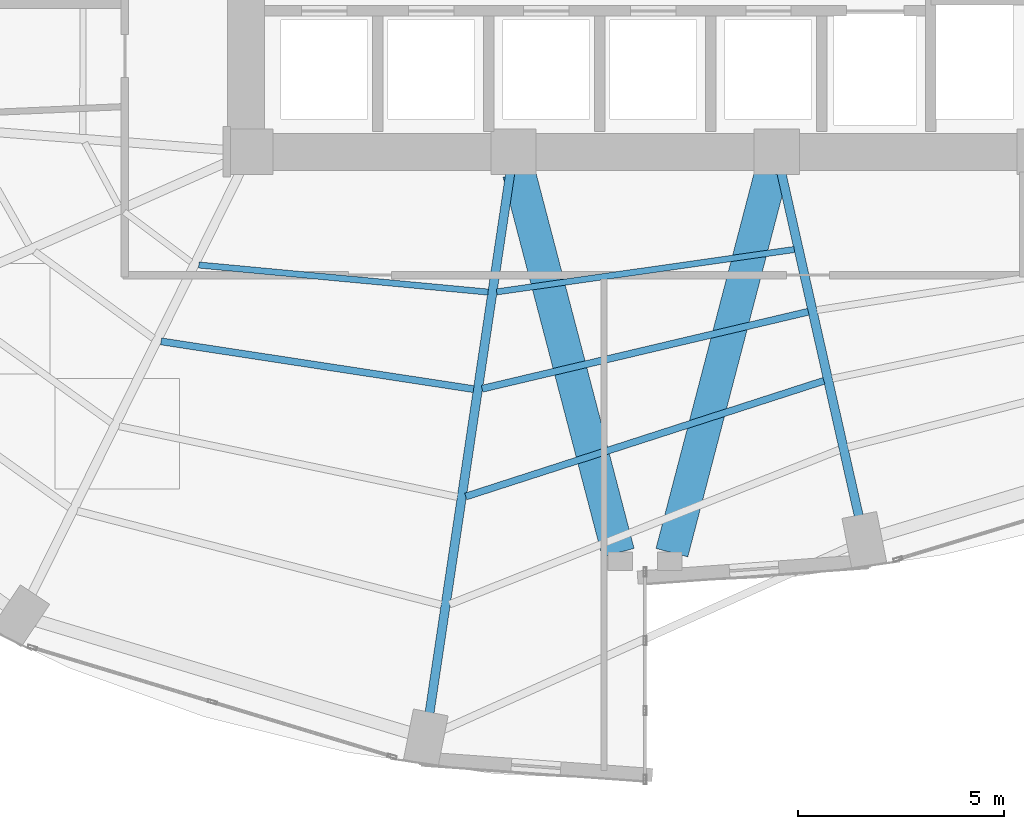
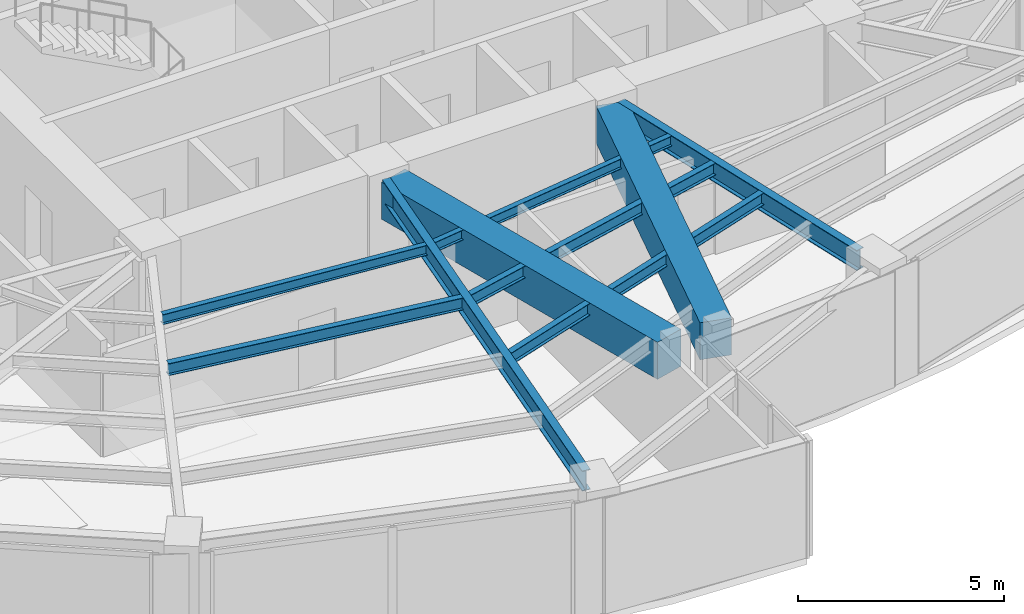
# One storey, part 7 of 25: 9 beams.
"""IFC4 building model written with IfcOpenShell, lengths in metres."""

from ifc_helpers import new_model, si_unit, direction, frame, origin, origin_2d, place, context, subcontext, project, spatial, rectangle, i_section, extrude, material, material_profile, profile_set, type_object, element, save


model = new_model("IFC4")

# Units and contexts
model_context = context("Model", 3, precision=1e-05, world=origin(), true_north=direction((0.0, 1.0)))
body_context = subcontext(model_context, "Body", "Model", "MODEL_VIEW")
ifc_project = project(units=[si_unit("LENGTHUNIT", "METRE"), si_unit("AREAUNIT", "SQUARE_METRE"), si_unit("VOLUMEUNIT", "CUBIC_METRE"), si_unit("PLANEANGLEUNIT", "RADIAN"), si_unit("MASSUNIT", "GRAM", prefix="KILO")], contexts=[model_context])

# Site, building, storey
site_placement = place(None, origin())
site = spatial("IfcSite", under=ifc_project, at=site_placement, CompositionType="ELEMENT")
building_placement = place(site_placement, origin())
building = spatial("IfcBuilding", under=site, at=building_placement, Name="Lazwardi Medical Tower", CompositionType="ELEMENT")
storey_placement = place(building_placement, frame((0.0, 0.0, 43.43994140625)))
storey = spatial("IfcBuildingStorey", under=building, at=storey_placement, Name="L10", CompositionType="ELEMENT", Elevation=43.43994140625)

# Beams
ifc_material_1 = material(Name="Concrete C70/85", Category="concrete")
ifc_material_profile_1 = material_profile(ifc_material_1, rectangle(XDim=0.800048828125, YDim=1.10009765625, at=origin_2d()), Name="RC 800x1100")
ifc_profile_set_1 = profile_set([ifc_material_profile_1], Name="Concrete C70/85")
beam_type_1 = type_object("IfcBeamType", Name="BM-CB-RC1", PredefinedType="LINTEL", material=ifc_profile_set_1)
for number, where, z_axis, x_axis, name in (
    (1, (32.935302734375, 19.88232421875, 2.878173828125), (0.252819877511, -0.967513364009, 0.0), (0.967513364009, 0.252819877511, 0.0), "Core coupling lintel CB-01 PL3 L10"),
    (2, (39.064697265625, 19.88232421875, 2.878173828125), (-0.252819877511, -0.967513364009, 0.0), (0.967513364009, -0.252819877511, 0.0), "Core coupling lintel CB-01 PL4 L10"),
):
    element("IfcBeam", number, at=place(storey_placement, frame(where, z_axis=z_axis, x_axis=x_axis)), inside=storey, type_object=beam_type_1, Name=name, PredefinedType="LINTEL", context=body_context, shape_type="SweptSolid", body=[
        extrude(rectangle(XDim=0.800048828125, YDim=1.10009765625, at=origin_2d()), origin(), (0.0, 0.0, 1.0), 9.538818359375),
    ])
ifc_material_2 = material(Name="Steel S355", Category="steel")
ifc_material_profile_2 = material_profile(ifc_material_2, i_section(OverallWidth=0.219970703125, OverallDepth=0.60009765625, WebThickness=0.011962890625, FlangeThickness=0.01904296875, at=origin_2d()), Name="IPE 600")
ifc_profile_set_2 = profile_set([ifc_material_profile_2], Name="Steel S355")
beam_type_2 = type_object("IfcBeamType", Name="BM-RG-W1", PredefinedType="BEAM", material=ifc_profile_set_2)
beam_1_placement = place(storey_placement, frame((41.203125, 11.521728515625, 3.128173828125), z_axis=(-0.22010079219, 0.975477135189, 0.0), x_axis=(-0.975477135189, -0.22010079219, 0.0)))
element("IfcBeam", 3, at=beam_1_placement, inside=storey, type_object=beam_type_2, Name="Radial girder RG-02 R01 L10", PredefinedType="BEAM", context=body_context, shape_type="SweptSolid", body=[
    extrude(i_section(OverallWidth=0.219970703125, OverallDepth=0.60009765625, WebThickness=0.011962890625, FlangeThickness=0.01904296875, at=origin_2d()), origin(), (0.0, 0.0, 1.0), 8.56640625),
])
beam_2_placement = place(storey_placement, frame((30.7548828125, 6.7294921875, 3.128173828125), z_axis=(0.147944218183, 0.98899570692, 0.0), x_axis=(-0.98899570692, 0.147944218183, 0.0)))
element("IfcBeam", 4, at=beam_2_placement, inside=storey, type_object=beam_type_2, Name="Radial girder RG-02 R16 L10", PredefinedType="BEAM", context=body_context, shape_type="SweptSolid", body=[
    extrude(i_section(OverallWidth=0.219970703125, OverallDepth=0.60009765625, WebThickness=0.011962890625, FlangeThickness=0.01904296875, at=origin_2d()), origin(), (0.0, 0.0, 1.0), 13.28759765625),
])
ifc_material_profile_3 = material_profile(ifc_material_2, i_section(OverallWidth=0.169921875, OverallDepth=0.360107421875, WebThickness=0.008056640625, FlangeThickness=0.0126953125, at=origin_2d()), Name="IPE 360")
ifc_profile_set_3 = profile_set([ifc_material_profile_3], Name="Steel S355")
beam_type_3 = type_object("IfcBeamType", Name="BM-SJ-02", PredefinedType="JOIST", material=ifc_profile_set_3)
beam_3_placement = place(storey_placement, frame((31.64111328125, 12.018310546875, 3.248046875), z_axis=(0.951558895485, 0.307466532199, 0.0), x_axis=(-0.307466532199, 0.951558895485, 0.0)))
element("IfcBeam", 5, at=beam_3_placement, inside=storey, type_object=beam_type_3, Name="Secondary joist SJ-02 R2 B16 L10", PredefinedType="JOIST", context=body_context, shape_type="SweptSolid", body=[
    extrude(i_section(OverallWidth=0.169921875, OverallDepth=0.360107421875, WebThickness=0.008056640625, FlangeThickness=0.0126953125, at=origin_2d()), origin(), (0.0, 0.0, 1.0), 9.1513671875),
])
beam_4_placement = place(storey_placement, frame((24.23193359375, 15.790771484375, 3.248046875), z_axis=(0.988535611365, -0.150987897074, 0.0), x_axis=(0.150987897074, 0.988535611365, 0.0)))
element("IfcBeam", 6, at=beam_4_placement, inside=storey, type_object=beam_type_3, Name="Secondary joist SJ-02 R3 B15 L10", PredefinedType="JOIST", context=body_context, shape_type="SweptSolid", body=[
    extrude(i_section(OverallWidth=0.169921875, OverallDepth=0.360107421875, WebThickness=0.008056640625, FlangeThickness=0.0126953125, at=origin_2d()), origin(), (0.0, 0.0, 1.0), 7.68701171875),
])
beam_5_placement = place(storey_placement, frame((32.03662109375, 14.638427734375, 3.248046875), z_axis=(0.973240904247, 0.229787167397, 0.0), x_axis=(-0.229787167397, 0.973240904247, 0.0)))
element("IfcBeam", 7, at=beam_5_placement, inside=storey, type_object=beam_type_3, Name="Secondary joist SJ-02 R3 B16 L10", PredefinedType="JOIST", context=body_context, shape_type="SweptSolid", body=[
    extrude(i_section(OverallWidth=0.169921875, OverallDepth=0.360107421875, WebThickness=0.008056640625, FlangeThickness=0.0126953125, at=origin_2d()), origin(), (0.0, 0.0, 1.0), 8.151123046875),
])
ifc_material_profile_4 = material_profile(ifc_material_2, i_section(OverallWidth=0.14990234375, OverallDepth=0.300048828125, WebThickness=0.007080078125, FlangeThickness=0.0107421875, at=origin_2d()), Name="IPE 300")
ifc_profile_set_4 = profile_set([ifc_material_profile_4], Name="Steel S355")
beam_type_4 = type_object("IfcBeamType", Name="BM-SJ-03", PredefinedType="JOIST", material=ifc_profile_set_4)
beam_6_placement = place(storey_placement, frame((25.148193359375, 17.64794921875, 3.278076171875), z_axis=(0.995649263748, -0.093180167407, 0.0), x_axis=(0.093180167407, 0.995649263748, 0.0)))
element("IfcBeam", 8, at=beam_6_placement, inside=storey, type_object=beam_type_4, Name="Secondary joist SJ-03 R4 B15 L10", PredefinedType="JOIST", context=body_context, shape_type="SweptSolid", body=[
    extrude(i_section(OverallWidth=0.14990234375, OverallDepth=0.300048828125, WebThickness=0.007080078125, FlangeThickness=0.0107421875, at=origin_2d()), origin(), (0.0, 0.0, 1.0), 7.06640625),
])
beam_7_placement = place(storey_placement, frame((32.392333984375, 16.99462890625, 3.278076171875), z_axis=(0.99001552228, 0.140958382672, 0.0), x_axis=(-0.140958382672, 0.99001552228, 0.0)))
element("IfcBeam", 9, at=beam_7_placement, inside=storey, type_object=beam_type_4, Name="Secondary joist SJ-03 R4 B16 L10", PredefinedType="JOIST", context=body_context, shape_type="SweptSolid", body=[
    extrude(i_section(OverallWidth=0.14990234375, OverallDepth=0.300048828125, WebThickness=0.007080078125, FlangeThickness=0.0107421875, at=origin_2d()), origin(), (0.0, 0.0, 1.0), 7.30908203125),
])

save(model, "model.ifc")
